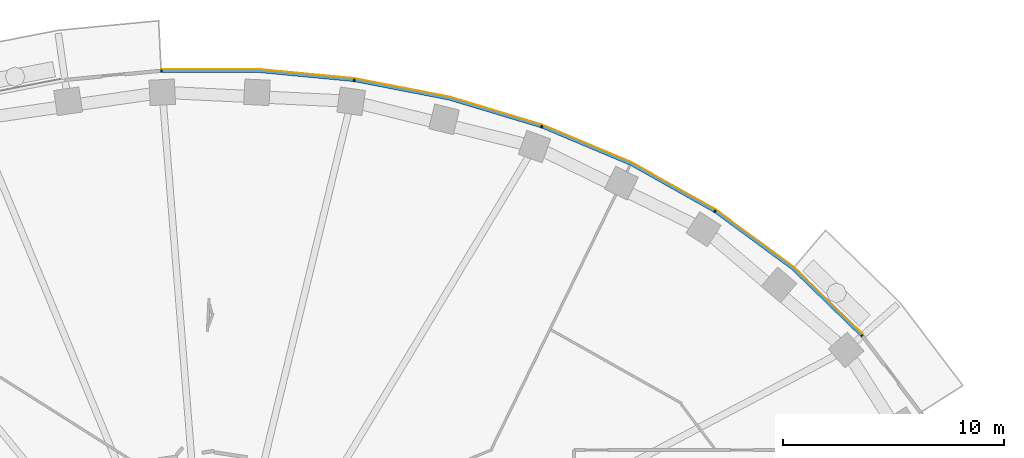
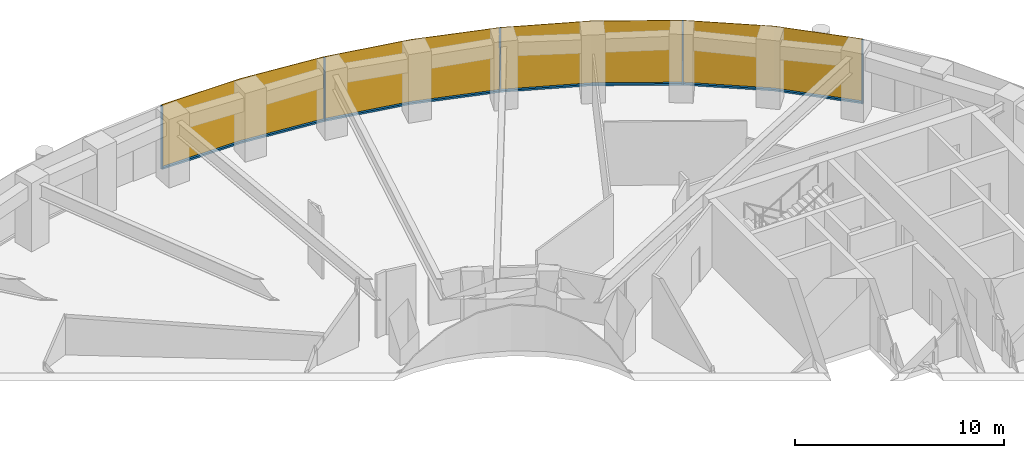
# One storey, part 13 of 16: 9 members, 1 curtain wall.
"""IFC4 building model written with IfcOpenShell, lengths in metres."""

from ifc_helpers import new_model, si_unit, direction, frame, origin, origin_2d, place, context, subcontext, project, spatial, polyline, rectangle, outline, extrude, material, layer, layer_set, material_profile, profile_set, type_object, element, aggregate, save


model = new_model("IFC4")

# Units and contexts
model_context = context("Model", 3, precision=1e-05, world=origin(), true_north=direction((0.0, 1.0)))
body_context = subcontext(model_context, "Body", "Model", "MODEL_VIEW")
ifc_project = project(units=[si_unit("LENGTHUNIT", "METRE"), si_unit("AREAUNIT", "SQUARE_METRE"), si_unit("VOLUMEUNIT", "CUBIC_METRE"), si_unit("PLANEANGLEUNIT", "RADIAN"), si_unit("MASSUNIT", "GRAM", prefix="KILO")], contexts=[model_context])

# Member
ifc_material_1 = material(Name="Aluminium 6063-T6 black anodised", Category="aluminium")
ifc_material_profile = material_profile(ifc_material_1, rectangle(XDim=0.1201171875, YDim=0.06005859375, at=origin_2d()), Name="120x60")
ifc_profile_set = profile_set([ifc_material_profile], Name="Aluminium 6063-T6 black anodised")
member_type_1 = type_object("IfcMemberType", Name="ENV-MULLION-A-120", PredefinedType="MULLION", material=ifc_profile_set)
site_placement = place(None, origin())
building_placement = place(site_placement, origin())
storey_placement = place(building_placement, frame((0.0, 0.0, 186.0)))
member_1_placement = place(storey_placement, frame((29.53857421875, 15.8671875, 0.0), z_axis=(0.0, 0.0, 1.0), x_axis=(-0.749047221705, -0.662516610853, 0.0)))
member_1 = element("IfcMember", 1, at=member_1_placement, type_object=member_type_1, Name="Mullion A radial 05", PredefinedType="MULLION", context=body_context, shape_type="SweptSolid", body=[
    extrude(rectangle(XDim=0.1201171875, YDim=0.06005859375, at=origin_2d()), origin(), (0.0, 0.0, 1.0), 3.699951171875),
])

member_2_placement = place(storey_placement, frame((22.882568359375, 21.506591796875, 0.0), z_axis=(0.0, 0.0, 1.0), x_axis=(-0.542279153225, -0.840198381323, 0.0)))
member_2 = element("IfcMember", 2, at=member_2_placement, type_object=member_type_1, Name="Mullion A radial 07", PredefinedType="MULLION", context=body_context, shape_type="SweptSolid", body=[
    extrude(rectangle(XDim=0.1201171875, YDim=0.06005859375, at=origin_2d()), origin(), (0.0, 0.0, 1.0), 3.699951171875),
])

member_3_placement = place(storey_placement, frame((15.0341796875, 25.34375, 0.0), z_axis=(0.0, 0.0, 1.0), x_axis=(-0.338379256581, -0.941009818608, 0.0)))
member_3 = element("IfcMember", 3, at=member_3_placement, type_object=member_type_1, Name="Mullion A radial 09", PredefinedType="MULLION", context=body_context, shape_type="SweptSolid", body=[
    extrude(rectangle(XDim=0.1201171875, YDim=0.06005859375, at=origin_2d()), origin(), (0.0, 0.0, 1.0), 3.699951171875),
])

member_4_placement = place(storey_placement, frame((6.54638671875, 27.440185546875, 0.0), z_axis=(0.0, 0.0, 1.0), x_axis=(-0.143082012705, -0.989710835366, 0.0)))
member_4 = element("IfcMember", 4, at=member_4_placement, type_object=member_type_1, Name="Mullion A radial 11", PredefinedType="MULLION", context=body_context, shape_type="SweptSolid", body=[
    extrude(rectangle(XDim=0.1201171875, YDim=0.06005859375, at=origin_2d()), origin(), (0.0, 0.0, 1.0), 3.699951171875),
])

member_5_placement = place(storey_placement, frame((-2.188720703125, 27.856201171875, 0.0), z_axis=(0.0, 0.0, 1.0), x_axis=(0.047557873581, -0.998868484166, 0.0)))
member_5 = element("IfcMember", 5, at=member_5_placement, type_object=member_type_1, Name="Mullion A radial 13", PredefinedType="MULLION", context=body_context, shape_type="SweptSolid", body=[
    extrude(rectangle(XDim=0.1201171875, YDim=0.06005859375, at=origin_2d()), origin(), (0.0, 0.0, 1.0), 3.699951171875),
])

ifc_material_2 = material(Name="Aluminium 6063-T6 black anodised", Category="aluminium")
member_type_2 = type_object("IfcMemberType", Name="ENV-TRANSOM-A", PredefinedType="USERDEFINED", material=ifc_material_2)
member_6_placement = place(storey_placement, origin())
member_6 = element("IfcMember", 6, at=member_6_placement, type_object=member_type_2, Name="Transom A radial 05-07", ObjectType="TRANSOM", PredefinedType="USERDEFINED", context=body_context, shape_type="SweptSolid", body=[
    extrude(outline(polyline([(29.5634765625, 15.926513671875), (26.4423828125, 18.958740234375), (22.937744140625, 21.540283203125), (22.87255859375, 21.439208984375), (26.364501953125, 18.866943359375), (29.473388671875, 15.8466796875), (29.5634765625, 15.926513671875)])), origin(), (0.0, 0.0, 1.0), 0.10009765625),
])

member_7_placement = place(storey_placement, origin())
member_7 = element("IfcMember", 7, at=member_7_placement, type_object=member_type_2, Name="Transom A radial 07-09", ObjectType="TRANSOM", PredefinedType="USERDEFINED", context=body_context, shape_type="SweptSolid", body=[
    extrude(outline(polyline([(22.890625, 21.570556640625), (19.093994140625, 23.701416015625), (15.080322265625, 25.389404296875), (15.03955078125, 25.276123046875), (19.041259765625, 23.593505859375), (22.825439453125, 21.469482421875), (22.890625, 21.570556640625)])), origin(), (0.0, 0.0, 1.0), 0.10009765625),
])

member_8_placement = place(storey_placement, origin())
member_8 = element("IfcMember", 8, at=member_8_placement, type_object=member_type_2, Name="Transom A radial 09-11", ObjectType="TRANSOM", PredefinedType="USERDEFINED", context=body_context, shape_type="SweptSolid", body=[
    extrude(outline(polyline([(15.027587890625, 25.408203125), (10.857666015625, 26.6630859375), (6.58251953125, 27.494140625), (6.5654296875, 27.375244140625), (10.828857421875, 26.54638671875), (14.987060546875, 25.295166015625), (15.027587890625, 25.408203125)])), origin(), (0.0, 0.0, 1.0), 0.10009765625),
])

member_9_placement = place(storey_placement, origin())
member_9 = element("IfcMember", 9, at=member_9_placement, type_object=member_type_2, Name="Transom A radial 11-13", ObjectType="TRANSOM", PredefinedType="USERDEFINED", context=body_context, shape_type="SweptSolid", body=[
    extrude(outline(polyline([(6.527099609375, 27.502197265625), (2.191650390625, 27.916015625), (-2.163818359375, 27.916015625), (-2.157958984375, 27.7958984375), (2.185791015625, 27.7958984375), (6.510009765625, 27.38330078125), (6.527099609375, 27.502197265625)])), origin(), (0.0, 0.0, 1.0), 0.10009765625),
])

# Site, building, storey
site = spatial("IfcSite", under=ifc_project, at=site_placement, CompositionType="ELEMENT")
building = spatial("IfcBuilding", under=site, at=building_placement, Name="Noorbagh Ring Tower", CompositionType="ELEMENT")
storey = spatial("IfcBuildingStorey", under=building, at=storey_placement, Name="L43", CompositionType="ELEMENT", Elevation=186.0)

# Curtain wall
ifc_material_3 = material(Name="Glass dark tinted laminated", Category="glass")
ifc_layer = layer(ifc_material_3, 0.031982421875)
ifc_layer_set = layer_set([ifc_layer], Name="Glass dark tinted laminated")
curtain_wall_type = type_object("IfcCurtainWallType", Name="ENV-CW-A", PredefinedType="NOTDEFINED", material=ifc_layer_set)
curtain_wall_placement = place(storey_placement, origin())
curtain_wall = element("IfcCurtainWall", 10, at=curtain_wall_placement, inside=storey, type_object=curtain_wall_type, Name="Curtain wall A R05", PredefinedType="NOTDEFINED", context=body_context, shape_type="SweptSolid", body=[
    extrude(outline(polyline([(29.59326171875, 15.942138671875), (26.463134765625, 18.9833984375), (22.9326171875, 21.583740234375), (19.108154296875, 23.730224609375), (15.065185546875, 25.430419921875), (10.865234375, 26.6943359375), (6.559814453125, 27.53125), (2.193115234375, 27.947998046875), (-2.173095703125, 27.947998046875), (-2.171630859375, 27.916015625), (2.191650390625, 27.916015625), (6.55517578125, 27.49951171875), (10.857666015625, 26.6630859375), (15.054443359375, 25.400146484375), (19.093994140625, 23.701416015625), (22.9150390625, 21.556884765625), (26.4423828125, 18.958740234375), (29.569091796875, 15.9208984375), (29.59326171875, 15.942138671875)])), origin(), (0.0, 0.0, 1.0), 3.699951171875),
])

aggregate(curtain_wall, [member_1, member_2, member_3, member_4, member_5, member_6, member_7, member_8, member_9])

save(model, "model.ifc")
